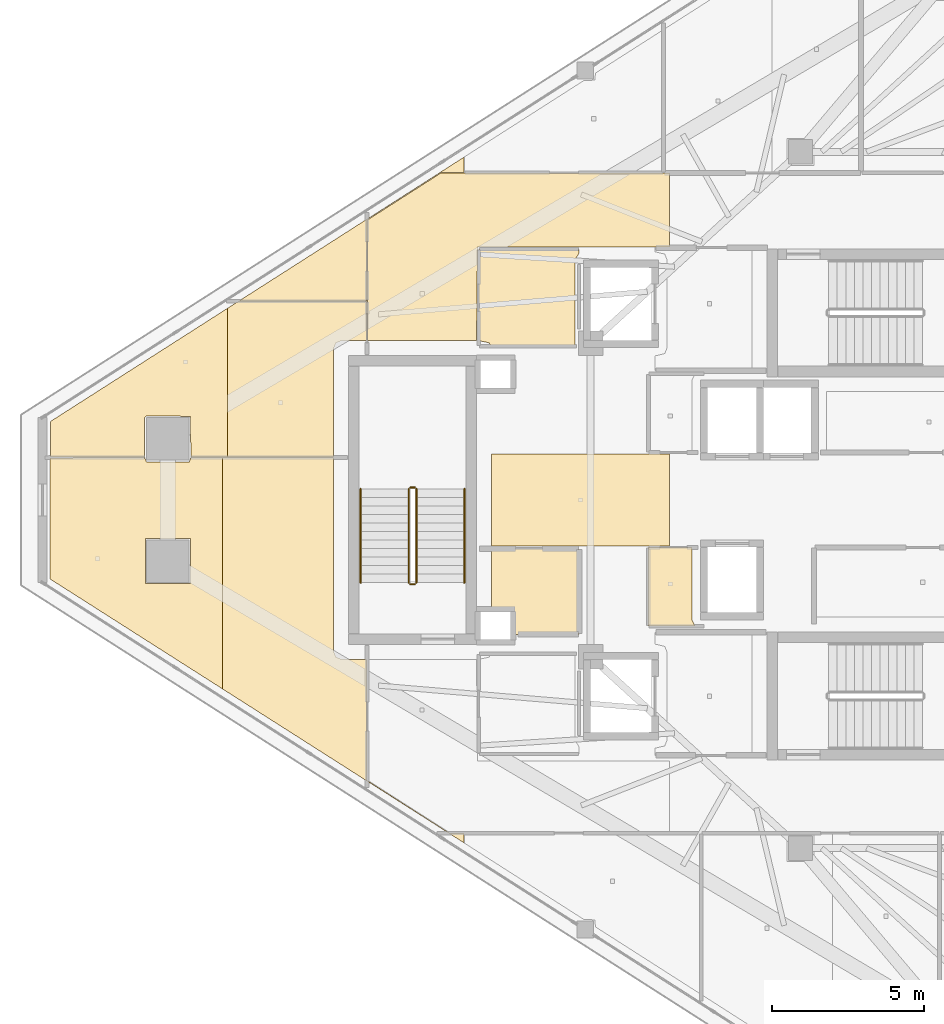
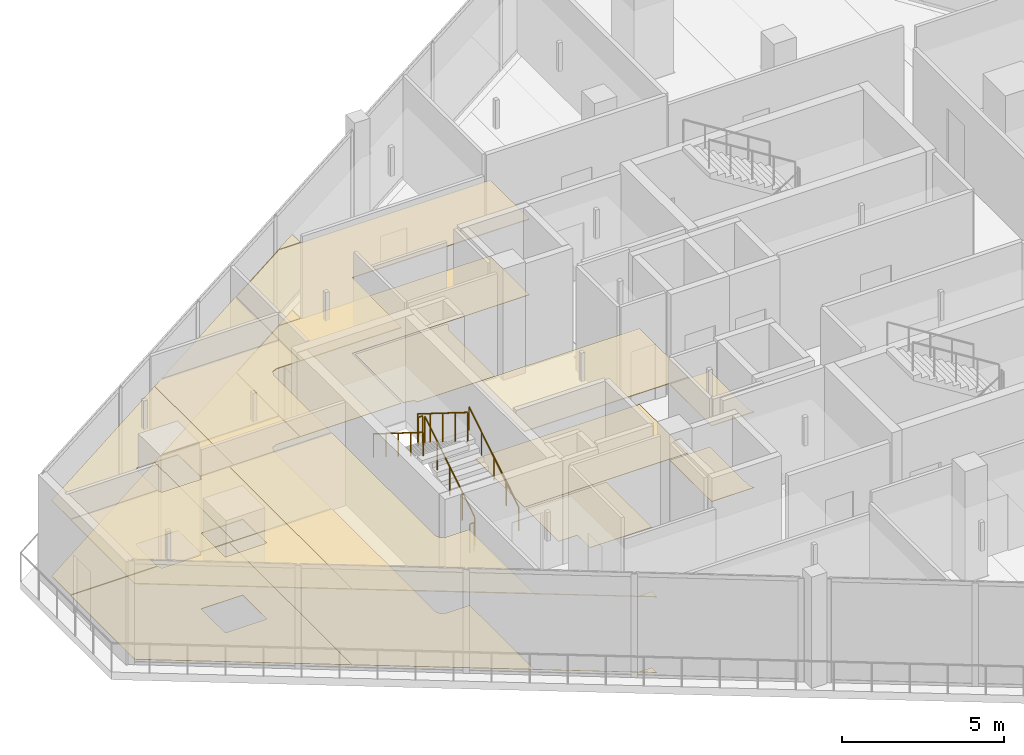
# One storey, part 20 of 23: 18 coverings, 6 railings.
"""IFC4 building model written with IfcOpenShell, lengths in metres."""

from ifc_helpers import new_model, si_unit, direction, frame, origin, origin_2d, place, context, subcontext, project, spatial, polyline, circle, outline, extrude, material, layer, layer_set, type_object, element, save


model = new_model("IFC4")

# Units and contexts
model_context = context("Model", 3, precision=1e-05, world=origin(), true_north=direction((0.0, 1.0)))
body_context = subcontext(model_context, "Body", "Model", "MODEL_VIEW")
ifc_project = project(units=[si_unit("LENGTHUNIT", "METRE"), si_unit("AREAUNIT", "SQUARE_METRE"), si_unit("VOLUMEUNIT", "CUBIC_METRE"), si_unit("PLANEANGLEUNIT", "RADIAN"), si_unit("MASSUNIT", "GRAM", prefix="KILO")], contexts=[model_context])

# Site, building, storey
site_placement = place(None, origin())
site = spatial("IfcSite", under=ifc_project, at=site_placement, CompositionType="ELEMENT")
building_placement = place(site_placement, origin())
building = spatial("IfcBuilding", under=site, at=building_placement, Name="Qorvath Tower", CompositionType="ELEMENT")
storey_placement = place(building_placement, frame((0.0, 0.0, 310.199951171875)))
storey = spatial("IfcBuildingStorey", under=building, at=storey_placement, Name="L72", CompositionType="ELEMENT", Elevation=310.199951171875)

# Coverings
ifc_material_1 = material(Name="Acoustic mineral fibre ceiling tile", Category="gypsum")
ifc_layer_1 = layer(ifc_material_1, 0.030029296875)
ifc_layer_set_1 = layer_set([ifc_layer_1], Name="COV-CEIL")
covering_type_1 = type_object("IfcCoveringType", Name="COV-CEIL", PredefinedType="CEILING", material=ifc_layer_set_1)
covering_1_placement = place(storey_placement, frame((0.0, 0.0, 2.85009765625)))
element("IfcCovering", 1, at=covering_1_placement, inside=storey, type_object=covering_type_1, Name="L72 Suspended Acoustic Ceiling 006", PredefinedType="CEILING", context=body_context, shape_type="SweptSolid", body=[
    extrude(outline(polyline([(-27.06689453125, -4.14501953125), (-27.159912109375, -3.9599609375), (-27.159912109375, -1.56494140625), (-28.594970703125, -1.56494140625), (-28.594970703125, -4.14501953125), (-27.06689453125, -4.14501953125)])), origin(), (0.0, 0.0, 1.0), 0.030029296875),
])
covering_2_placement = place(storey_placement, frame((0.0, 0.0, 2.85009765625)))
element("IfcCovering", 2, at=covering_2_placement, inside=storey, type_object=covering_type_1, Name="L72 Suspended Acoustic Ceiling 010", PredefinedType="CEILING", context=body_context, shape_type="SweptSolid", body=[
    extrude(outline(polyline([(-27.8984375, 8.324951171875), (-27.8984375, 10.7451171875), (-35.435302734375, 10.7451171875), (-37.844970703125, 9.205078125), (-37.844970703125, 5.239990234375), (-34.2509765625, 5.239990234375), (-34.219970703125, 8.324951171875), (-27.8984375, 8.324951171875)])), origin(), (0.0, 0.0, 1.0), 0.030029296875),
])
covering_3_placement = place(storey_placement, frame((0.0, 0.0, 2.85009765625)))
element("IfcCovering", 3, at=covering_3_placement, inside=storey, type_object=covering_type_1, Name="L72 Suspended Acoustic Ceiling 012", PredefinedType="CEILING", context=body_context, shape_type="SweptSolid", body=[
    extrude(outline(polyline([(-27.8984375, -1.514892578125), (-27.8984375, 1.514892578125), (-33.760009765625, 1.514892578125), (-33.760009765625, -1.514892578125), (-27.8984375, -1.514892578125)])), origin(), (0.0, 0.0, 1.0), 0.030029296875),
])
covering_4_placement = place(storey_placement, frame((0.0, 0.0, 2.85009765625)))
element("IfcCovering", 4, at=covering_4_placement, inside=storey, type_object=covering_type_1, Name="L72 Suspended Acoustic Ceiling 031", PredefinedType="CEILING", context=body_context, shape_type="SweptSolid", body=[
    extrude(outline(polyline([(-48.282470703125, 1.387939453125), (-48.2822265625, -2.593017578125), (-42.611572265625, -6.207763671875), (-42.611572265625, 1.3935546875), (-43.642578125, 1.3935546875), (-43.702392578125, 1.24755859375), (-45.1025390625, 1.24755859375), (-45.16259765625, 1.3935546875), (-48.282470703125, 1.387939453125)]), holes=[polyline([(-45.14501953125, -2.75), (-45.14501953125, -1.26513671875), (-43.66015625, -1.26513671875), (-43.66015625, -2.75), (-45.14501953125, -2.75)])]), origin(), (0.0, 0.0, 1.0), 0.030029296875),
])
covering_5_placement = place(storey_placement, frame((0.0, 0.0, 2.85009765625)))
element("IfcCovering", 5, at=covering_5_placement, inside=storey, type_object=covering_type_1, Name="L72 Suspended Acoustic Ceiling 032", PredefinedType="CEILING", context=body_context, shape_type="SweptSolid", body=[
    extrude(outline(polyline([(-42.611572265625, 1.3935546875), (-42.611572265625, -6.207763671875), (-34.6630859375, -11.274169921875), (-34.6630859375, -10.962890625), (-35.12890625, -10.962158203125), (-37.863037109375, -9.212158203125), (-37.863037109375, -5.239990234375), (-38.699951171875, -5.239990234375), (-38.876708984375, -5.166748046875), (-38.949951171875, -4.989990234375), (-38.949951171875, 1.3935546875), (-42.611572265625, 1.3935546875)])), origin(), (0.0, 0.0, 1.0), 0.030029296875),
])
covering_6_placement = place(storey_placement, frame((0.0, 0.0, 2.85009765625)))
element("IfcCovering", 6, at=covering_6_placement, inside=storey, type_object=covering_type_1, Name="L72 Suspended Acoustic Ceiling 033", PredefinedType="CEILING", context=body_context, shape_type="SweptSolid", body=[
    extrude(outline(polyline([(-42.441650390625, 1.41162109375), (-42.441650390625, 6.302734375), (-48.268310546875, 2.57861328125), (-48.268310546875, 1.40576171875), (-45.16259765625, 1.41162109375), (-45.16259765625, 2.70751953125), (-45.1025390625, 2.767578125), (-43.66015625, 2.75), (-43.642578125, 1.41162109375), (-42.441650390625, 1.41162109375)])), origin(), (0.0, 0.0, 1.0), 0.030029296875),
])
covering_7_placement = place(storey_placement, frame((0.0, 0.0, 2.85009765625)))
element("IfcCovering", 7, at=covering_7_placement, inside=storey, type_object=covering_type_1, Name="L72 Suspended Acoustic Ceiling 034", PredefinedType="CEILING", context=body_context, shape_type="SweptSolid", body=[
    extrude(outline(polyline([(-37.863037109375, 5.239990234375), (-37.863037109375, 6.53076171875), (-42.084716796875, 6.53076171875), (-42.441650390625, 6.302734375), (-42.441650390625, 1.41162109375), (-38.949951171875, 1.41162109375), (-38.949951171875, 4.989990234375), (-38.876708984375, 5.166748046875), (-38.699951171875, 5.239990234375), (-37.863037109375, 5.239990234375)])), origin(), (0.0, 0.0, 1.0), 0.030029296875),
])
covering_8_placement = place(storey_placement, frame((0.0, 0.0, 2.85009765625)))
element("IfcCovering", 8, at=covering_8_placement, inside=storey, type_object=covering_type_1, Name="L72 Suspended Acoustic Ceiling 035", PredefinedType="CEILING", context=body_context, shape_type="SweptSolid", body=[
    extrude(outline(polyline([(-34.6630859375, 10.762939453125), (-34.6630859375, 11.274169921875), (-42.056396484375, 6.548828125), (-37.863037109375, 6.548828125), (-37.860595703125, 9.21630859375), (-35.439208984375, 10.762939453125), (-34.6630859375, 10.762939453125)])), origin(), (0.0, 0.0, 1.0), 0.030029296875),
])
ifc_material_2 = material(Name="Low-VOC modular carpet tile", Category="textile")
ifc_layer_2 = layer(ifc_material_2, 0.014892578125)
ifc_layer_set_2 = layer_set([ifc_layer_2], Name="COV-FLOOR-CPT")
covering_type_2 = type_object("IfcCoveringType", Name="COV-FLOOR-CPT", PredefinedType="FLOORING", material=ifc_layer_set_2)
covering_9_placement = place(storey_placement, origin())
element("IfcCovering", 9, at=covering_9_placement, inside=storey, type_object=covering_type_2, Name="L72 Floor Finish 006", PredefinedType="FLOORING", context=body_context, shape_type="SweptSolid", body=[
    extrude(outline(polyline([(-27.06689453125, -4.14501953125), (-27.159912109375, -3.9599609375), (-27.159912109375, -1.56494140625), (-28.594970703125, -1.56494140625), (-28.594970703125, -4.14501953125), (-27.06689453125, -4.14501953125)])), origin(), (0.0, 0.0, 1.0), 0.01513671875),
])
covering_10_placement = place(storey_placement, origin())
element("IfcCovering", 10, at=covering_10_placement, inside=storey, type_object=covering_type_2, Name="L72 Floor Finish 009", PredefinedType="FLOORING", context=body_context, shape_type="SweptSolid", body=[
    extrude(outline(polyline([(-30.885009765625, -4.4150390625), (-30.885009765625, -1.60498046875), (-33.760009765625, -1.60498046875), (-33.760009765625, -3.636962890625), (-33.08837890625, -3.638427734375), (-33.0869140625, -4.4150390625), (-30.885009765625, -4.4150390625)])), origin(), (0.0, 0.0, 1.0), 0.01513671875),
])
covering_11_placement = place(storey_placement, origin())
element("IfcCovering", 11, at=covering_11_placement, inside=storey, type_object=covering_type_2, Name="L72 Floor Finish 031", PredefinedType="FLOORING", context=body_context, shape_type="SweptSolid", body=[
    extrude(outline(polyline([(-48.282470703125, 1.387939453125), (-48.2822265625, -2.593017578125), (-42.611572265625, -6.207763671875), (-42.611572265625, 1.3935546875), (-43.642578125, 1.3935546875), (-43.702392578125, 1.24755859375), (-45.1025390625, 1.24755859375), (-45.16259765625, 1.3935546875), (-48.282470703125, 1.387939453125)]), holes=[polyline([(-45.14501953125, -2.75), (-45.14501953125, -1.26513671875), (-43.66015625, -1.26513671875), (-43.66015625, -2.75), (-45.14501953125, -2.75)])]), origin(), (0.0, 0.0, 1.0), 0.01513671875),
])
covering_12_placement = place(storey_placement, origin())
element("IfcCovering", 12, at=covering_12_placement, inside=storey, type_object=covering_type_2, Name="L72 Floor Finish 032", PredefinedType="FLOORING", context=body_context, shape_type="SweptSolid", body=[
    extrude(outline(polyline([(-42.611572265625, 1.3935546875), (-42.611572265625, -6.207763671875), (-34.6630859375, -11.274169921875), (-34.6630859375, -10.962890625), (-35.12890625, -10.962158203125), (-37.863037109375, -9.212158203125), (-37.863037109375, -5.239990234375), (-38.699951171875, -5.239990234375), (-38.876708984375, -5.166748046875), (-38.949951171875, -4.989990234375), (-38.949951171875, 1.3935546875), (-42.611572265625, 1.3935546875)])), origin(), (0.0, 0.0, 1.0), 0.01513671875),
])
covering_13_placement = place(storey_placement, origin())
element("IfcCovering", 13, at=covering_13_placement, inside=storey, type_object=covering_type_2, Name="L72 Floor Finish 033", PredefinedType="FLOORING", context=body_context, shape_type="SweptSolid", body=[
    extrude(outline(polyline([(-42.441650390625, 1.41162109375), (-42.441650390625, 6.302734375), (-48.268310546875, 2.57861328125), (-48.268310546875, 1.40576171875), (-45.16259765625, 1.41162109375), (-45.16259765625, 2.70751953125), (-45.1025390625, 2.767578125), (-43.66015625, 2.75), (-43.642578125, 1.41162109375), (-42.441650390625, 1.41162109375)])), origin(), (0.0, 0.0, 1.0), 0.01513671875),
])
covering_14_placement = place(storey_placement, origin())
element("IfcCovering", 14, at=covering_14_placement, inside=storey, type_object=covering_type_2, Name="L72 Floor Finish 034", PredefinedType="FLOORING", context=body_context, shape_type="SweptSolid", body=[
    extrude(outline(polyline([(-37.863037109375, 5.239990234375), (-37.863037109375, 6.53076171875), (-42.084716796875, 6.53076171875), (-42.441650390625, 6.302734375), (-42.441650390625, 1.41162109375), (-38.949951171875, 1.41162109375), (-38.949951171875, 4.989990234375), (-38.876708984375, 5.166748046875), (-38.699951171875, 5.239990234375), (-37.863037109375, 5.239990234375)])), origin(), (0.0, 0.0, 1.0), 0.01513671875),
])
covering_15_placement = place(storey_placement, origin())
element("IfcCovering", 15, at=covering_15_placement, inside=storey, type_object=covering_type_2, Name="L72 Floor Finish 035", PredefinedType="FLOORING", context=body_context, shape_type="SweptSolid", body=[
    extrude(outline(polyline([(-34.6630859375, 10.762939453125), (-34.6630859375, 11.274169921875), (-42.056396484375, 6.548828125), (-37.863037109375, 6.548828125), (-37.860595703125, 9.21630859375), (-35.439208984375, 10.762939453125), (-34.6630859375, 10.762939453125)])), origin(), (0.0, 0.0, 1.0), 0.01513671875),
])
ifc_material_3 = material(Name="Polished epoxy terrazzo flooring", Category="concrete")
ifc_layer_3 = layer(ifc_material_3, 0.02001953125)
ifc_layer_set_3 = layer_set([ifc_layer_3], Name="COV-FLOOR-TRZ")
covering_type_3 = type_object("IfcCoveringType", Name="COV-FLOOR-TRZ", PredefinedType="FLOORING", material=ifc_layer_set_3)
covering_16_placement = place(storey_placement, origin())
element("IfcCovering", 16, at=covering_16_placement, inside=storey, type_object=covering_type_3, Name="L72 Floor Finish 007", PredefinedType="FLOORING", context=body_context, shape_type="SweptSolid", body=[
    extrude(outline(polyline([(-31.010009765625, 5.054931640625), (-31.010009765625, 7.909912109375), (-30.885009765625, 8.108154296875), (-30.885009765625, 8.2451171875), (-34.175048828125, 8.2451171875), (-34.175048828125, 5.239990234375), (-33.833251953125, 5.166748046875), (-33.786865234375, 5.054931640625), (-31.010009765625, 5.054931640625)])), origin(), (0.0, 0.0, 1.0), 0.01513671875),
])
covering_17_placement = place(storey_placement, origin())
element("IfcCovering", 17, at=covering_17_placement, inside=storey, type_object=covering_type_3, Name="L72 Floor Finish 010", PredefinedType="FLOORING", context=body_context, shape_type="SweptSolid", body=[
    extrude(outline(polyline([(-27.8984375, 8.324951171875), (-27.8984375, 10.7451171875), (-35.435302734375, 10.7451171875), (-37.844970703125, 9.205078125), (-37.844970703125, 5.239990234375), (-34.2509765625, 5.239990234375), (-34.219970703125, 8.324951171875), (-27.8984375, 8.324951171875)])), origin(), (0.0, 0.0, 1.0), 0.01513671875),
])
covering_18_placement = place(storey_placement, origin())
element("IfcCovering", 18, at=covering_18_placement, inside=storey, type_object=covering_type_3, Name="L72 Floor Finish 012", PredefinedType="FLOORING", context=body_context, shape_type="SweptSolid", body=[
    extrude(outline(polyline([(-27.8984375, -1.514892578125), (-27.8984375, 1.514892578125), (-33.760009765625, 1.514892578125), (-33.760009765625, -1.514892578125), (-27.8984375, -1.514892578125)])), origin(), (0.0, 0.0, 1.0), 0.01513671875),
])

# Railings
ifc_material_4 = material(Name="Painted galvanised steel", Category="steel")
railing_type_1 = type_object("IfcRailingType", Name="RL-STR-GRD", PredefinedType="GUARDRAIL", material=ifc_material_4)
railing_1_placement = place(storey_placement, frame((-36.22998046875, -2.719970703125, 0.175048828125)))
element("IfcRailing", 19, at=railing_1_placement, inside=storey, type_object=railing_type_1, Name="L72 TS3 stair guard 1", PredefinedType="GUARDRAIL", context=body_context, shape_type="SweptSolid", body=[
    extrude(circle(Radius=0.02392578125, at=origin_2d()), frame((0.0, 0.0, 1.076171875), z_axis=(0.0, 0.847998304005, 0.529998940003), x_axis=(-1.0, 0.0, 0.0)), (0.0, 0.0, 1.0), 3.632080078125),
    extrude(circle(Radius=0.02099609375, at=origin_2d()), origin(), (0.0, 0.0, 1.0), 1.052001953125),
    extrude(circle(Radius=0.02099609375, at=origin_2d()), frame((0.0, 0.77001953125, 0.481201171875)), (0.0, 0.0, 1.0), 1.052001953125),
    extrude(circle(Radius=0.02099609375, at=origin_2d()), frame((0.0, 1.5400390625, 0.96240234375)), (0.0, 0.0, 1.0), 1.052001953125),
    extrude(circle(Radius=0.02099609375, at=origin_2d()), frame((0.0, 2.31005859375, 1.44384765625)), (0.0, 0.0, 1.0), 1.052001953125),
    extrude(circle(Radius=0.02099609375, at=origin_2d()), frame((0.0, 3.080078125, 1.925048828125)), (0.0, 0.0, 1.0), 1.052001953125),
])
railing_2_placement = place(storey_placement, frame((-36.280029296875, 0.409912109375, 2.10009765625)))
element("IfcRailing", 20, at=railing_2_placement, inside=storey, type_object=railing_type_1, Name="L72 TS3 stair guard 2", PredefinedType="GUARDRAIL", context=body_context, shape_type="SweptSolid", body=[
    extrude(circle(Radius=0.02392578125, at=origin_2d()), frame((0.0, 0.0, 1.076171875), z_axis=(-1.0, 0.0, 0.0), x_axis=(0.0, -1.0, 0.0)), (0.0, 0.0, 1.0), 0.14990234375),
    extrude(circle(Radius=0.02099609375, at=origin_2d()), origin(), (0.0, 0.0, 1.0), 1.052001953125),
    extrude(circle(Radius=0.02099609375, at=origin_2d()), frame((-0.14990234375, 0.0, 0.0)), (0.0, 0.0, 1.0), 1.052001953125),
])
railing_3_placement = place(storey_placement, frame((-36.47998046875, 0.360107421875, 2.275146484375)))
element("IfcRailing", 21, at=railing_3_placement, inside=storey, type_object=railing_type_1, Name="L72 TS3 stair guard 3", PredefinedType="GUARDRAIL", context=body_context, shape_type="SweptSolid", body=[
    extrude(circle(Radius=0.02392578125, at=origin_2d()), frame((0.0, 0.0, 1.076171875), z_axis=(0.0, -0.848028513186, 0.529950602248), x_axis=(1.0, 0.0, 0.0)), (0.0, 0.0, 1.0), 3.632080078125),
    extrude(circle(Radius=0.02099609375, at=origin_2d()), origin(), (0.0, 0.0, 1.0), 1.052001953125),
    extrude(circle(Radius=0.02099609375, at=origin_2d()), frame((0.0, -0.77001953125, 0.481201171875)), (0.0, 0.0, 1.0), 1.052001953125),
    extrude(circle(Radius=0.02099609375, at=origin_2d()), frame((0.0, -1.5400390625, 0.96240234375)), (0.0, 0.0, 1.0), 1.052001953125),
    extrude(circle(Radius=0.02099609375, at=origin_2d()), frame((0.0, -2.31005859375, 1.443603515625)), (0.0, 0.0, 1.0), 1.052001953125),
    extrude(circle(Radius=0.02099609375, at=origin_2d()), frame((0.0, -3.080078125, 1.9248046875)), (0.0, 0.0, 1.0), 1.052001953125),
])
railing_4_placement = place(storey_placement, frame((-36.280029296875, -2.77001953125, 0.0)))
element("IfcRailing", 22, at=railing_4_placement, inside=storey, type_object=railing_type_1, Name="L72 TS3 stair guard 4", PredefinedType="GUARDRAIL", context=body_context, shape_type="SweptSolid", body=[
    extrude(circle(Radius=0.02392578125, at=origin_2d()), frame((0.0, 0.0, 1.076171875), z_axis=(-1.0, 0.0, 0.0), x_axis=(0.0, -1.0, 0.0)), (0.0, 0.0, 1.0), 0.14990234375),
    extrude(circle(Radius=0.02099609375, at=origin_2d()), origin(), (0.0, 0.0, 1.0), 1.052001953125),
    extrude(circle(Radius=0.02099609375, at=origin_2d()), frame((-0.14990234375, 0.0, 0.0)), (0.0, 0.0, 1.0), 1.052001953125),
])
ifc_material_5 = material(Name="Brushed stainless steel AISI 304", Category="steel")
railing_type_2 = type_object("IfcRailingType", Name="RL-STR-HND", PredefinedType="HANDRAIL", material=ifc_material_5)
railing_5_placement = place(storey_placement, frame((-34.64990234375, -2.719970703125, 0.175048828125)))
element("IfcRailing", 23, at=railing_5_placement, inside=storey, type_object=railing_type_2, Name="L72 TS3 stair handrail 1", PredefinedType="HANDRAIL", context=body_context, shape_type="SweptSolid", body=[
    extrude(circle(Radius=0.02392578125, at=origin_2d()), frame((0.0, 0.0, 0.8759765625), z_axis=(0.0, 0.847998304005, 0.529998940003), x_axis=(-1.0, 0.0, 0.0)), (0.0, 0.0, 1.0), 3.632080078125),
    extrude(circle(Radius=0.02099609375, at=origin_2d()), origin(), (0.0, 0.0, 1.0), 0.851806640625),
    extrude(circle(Radius=0.02099609375, at=origin_2d()), frame((0.0, 0.77001953125, 0.481201171875)), (0.0, 0.0, 1.0), 0.851806640625),
    extrude(circle(Radius=0.02099609375, at=origin_2d()), frame((0.0, 1.5400390625, 0.96240234375)), (0.0, 0.0, 1.0), 0.851806640625),
    extrude(circle(Radius=0.02099609375, at=origin_2d()), frame((0.0, 2.31005859375, 1.44384765625)), (0.0, 0.0, 1.0), 0.851806640625),
    extrude(circle(Radius=0.02099609375, at=origin_2d()), frame((0.0, 3.080078125, 1.925048828125)), (0.0, 0.0, 1.0), 0.851806640625),
])
railing_6_placement = place(storey_placement, frame((-38.06005859375, 0.360107421875, 2.275146484375)))
element("IfcRailing", 24, at=railing_6_placement, inside=storey, type_object=railing_type_2, Name="L72 TS3 stair handrail 2", PredefinedType="HANDRAIL", context=body_context, shape_type="SweptSolid", body=[
    extrude(circle(Radius=0.02392578125, at=origin_2d()), frame((0.0, 0.0, 0.8759765625), z_axis=(0.0, -0.848028513186, 0.529950602248), x_axis=(1.0, 0.0, 0.0)), (0.0, 0.0, 1.0), 3.632080078125),
    extrude(circle(Radius=0.02099609375, at=origin_2d()), origin(), (0.0, 0.0, 1.0), 0.851806640625),
    extrude(circle(Radius=0.02099609375, at=origin_2d()), frame((0.0, -0.77001953125, 0.481201171875)), (0.0, 0.0, 1.0), 0.851806640625),
    extrude(circle(Radius=0.02099609375, at=origin_2d()), frame((0.0, -1.5400390625, 0.96240234375)), (0.0, 0.0, 1.0), 0.851806640625),
    extrude(circle(Radius=0.02099609375, at=origin_2d()), frame((0.0, -2.31005859375, 1.443603515625)), (0.0, 0.0, 1.0), 0.851806640625),
    extrude(circle(Radius=0.02099609375, at=origin_2d()), frame((0.0, -3.080078125, 1.9248046875)), (0.0, 0.0, 1.0), 0.851806640625),
])

save(model, "model.ifc")
